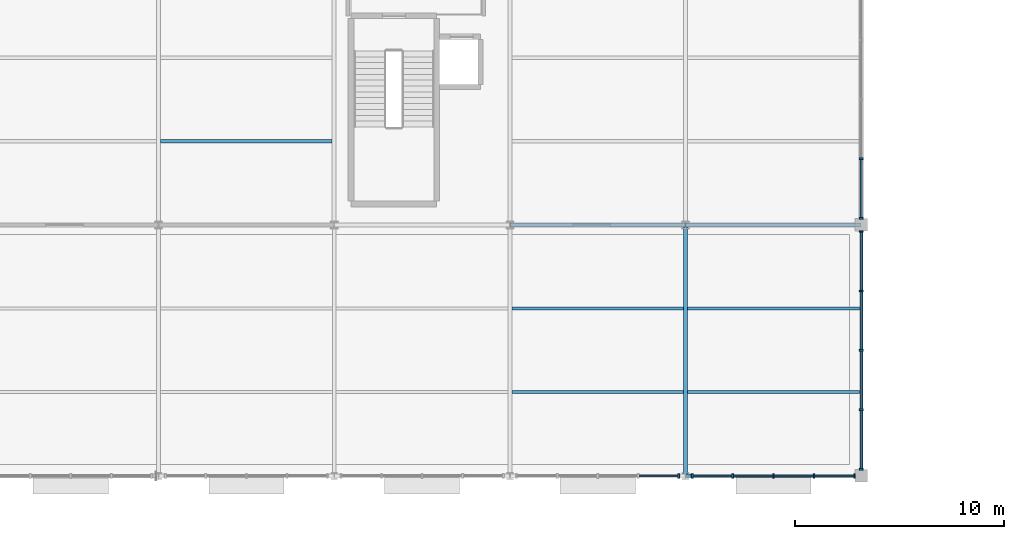
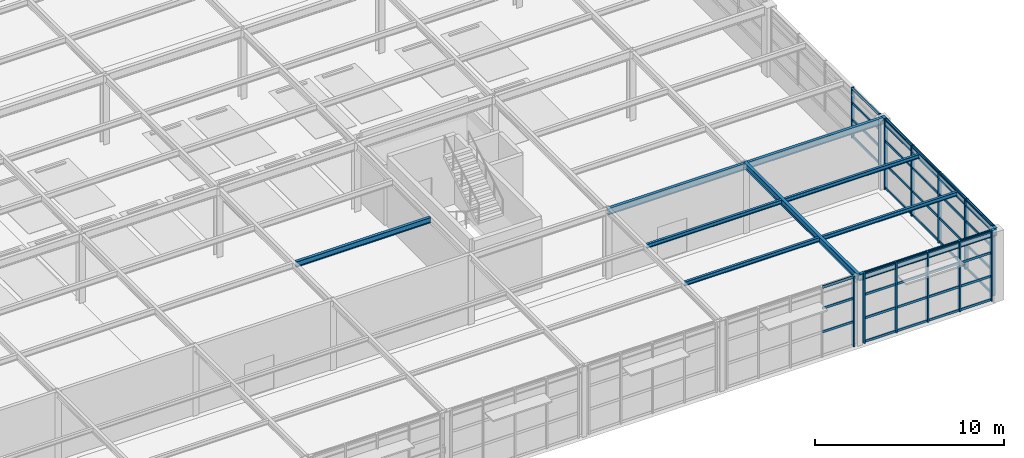
# One storey, part 39 of 82: 52 members, 10 beams, 4 elements without a shape of their own.
"""IFC4 building model written with IfcOpenShell, lengths in metres."""

from ifc_helpers import new_model, si_unit, direction, frame, origin, origin_2d, place, context, subcontext, project, spatial, rectangle, i_section, extrude, material, layer, layer_set, material_profile, profile_set, type_object, element, aggregate, save


model = new_model("IFC4")

# Units and contexts
model_context = context("Model", 3, precision=1e-05, world=origin(), true_north=direction((0.0, 1.0)))
body_context = subcontext(model_context, "Body", "Model", "MODEL_VIEW")
ifc_project = project(units=[si_unit("LENGTHUNIT", "METRE"), si_unit("AREAUNIT", "SQUARE_METRE"), si_unit("VOLUMEUNIT", "CUBIC_METRE"), si_unit("PLANEANGLEUNIT", "RADIAN"), si_unit("MASSUNIT", "GRAM", prefix="KILO")], contexts=[model_context])

# Site, building, storey
site_placement = place(None, origin())
site = spatial("IfcSite", under=ifc_project, at=site_placement, CompositionType="ELEMENT")
building_placement = place(site_placement, origin())
building = spatial("IfcBuilding", under=site, at=building_placement, Name="Sitalva Quay Ferry Terminal", CompositionType="ELEMENT")
storey_placement = place(building_placement, frame((0.0, 0.0, 5.39990234375)))
storey = spatial("IfcBuildingStorey", under=building, at=storey_placement, Name="L02", CompositionType="ELEMENT", Elevation=5.39990234375)

# Beams
ifc_material_1 = material(Name="Structural Steel S355JR", Category="steel")
ifc_material_profile_1 = material_profile(ifc_material_1, i_section(OverallWidth=0.178955078125, OverallDepth=0.409912109375, WebThickness=0.0087890625, FlangeThickness=0.014404296875, FilletRadius=0.012939453125, at=origin_2d()), Name="W410x67")
ifc_profile_set_1 = profile_set([ifc_material_profile_1], Name="Structural Steel S355JR")
beam_type_1 = type_object("IfcBeamType", Name="Beam_W410x67", PredefinedType="BEAM", material=ifc_profile_set_1)
for number, where, z_axis, x_axis, name in (
    (1, (159.60009765625, 6.0, 4.335205078125), (0.0, 1.0, 0.0), (-1.0, 0.0, 0.0), "L02 Primary Y girder 0737"),
    (2, (168.0, 6.0, 4.335205078125), (0.0, 1.0, 0.0), (-1.0, 0.0, 0.0), "L02 Primary Y girder 0738"),
):
    element("IfcBeam", number, at=place(storey_placement, frame(where, z_axis=z_axis, x_axis=x_axis)), inside=storey, type_object=beam_type_1, Name=name, PredefinedType="BEAM", context=body_context, shape_type="SweptSolid", body=[
        extrude(i_section(OverallWidth=0.178955078125, OverallDepth=0.409912109375, WebThickness=0.0087890625, FlangeThickness=0.014404296875, FilletRadius=0.012939453125, at=origin_2d()), origin(), (0.0, 0.0, 1.0), 12.0),
    ])
ifc_material_2 = material(Name="Structural Steel S355JR", Category="steel")
ifc_material_profile_2 = material_profile(ifc_material_2, i_section(OverallWidth=0.180908203125, OverallDepth=0.4169921875, WebThickness=0.010986328125, FlangeThickness=0.018310546875, FilletRadius=0.012939453125, at=origin_2d()), Name="W410x85")
ifc_profile_set_2 = profile_set([ifc_material_profile_2], Name="Structural Steel S355JR")
beam_type_2 = type_object("IfcBeamType", Name="Beam_W410x85", PredefinedType="BEAM", material=ifc_profile_set_2)
beam_1_placement = place(storey_placement, frame((159.60009765625, 6.0, 4.33154296875), z_axis=(1.0, 0.0, 0.0), x_axis=(0.0, 1.0, 0.0)))
element("IfcBeam", 3, at=beam_1_placement, inside=storey, type_object=beam_type_2, Name="L02 Primary X girder 0718", PredefinedType="BEAM", context=body_context, shape_type="SweptSolid", body=[
    extrude(i_section(OverallWidth=0.180908203125, OverallDepth=0.4169921875, WebThickness=0.010986328125, FlangeThickness=0.018310546875, FilletRadius=0.012939453125, at=origin_2d()), origin(), (0.0, 0.0, 1.0), 8.39990234375),
])
beam_2_placement = place(storey_placement, frame((151.199951171875, 18.0, 4.24169921875), z_axis=(1.0, 0.0, 0.0), x_axis=(0.0, 1.0, 0.0)))
element("IfcBeam", 4, at=beam_2_placement, inside=storey, type_object=beam_type_2, Name="L02 Primary X girder 0727", PredefinedType="BEAM", context=body_context, shape_type="SweptSolid", body=[
    extrude(i_section(OverallWidth=0.180908203125, OverallDepth=0.4169921875, WebThickness=0.010986328125, FlangeThickness=0.018310546875, FilletRadius=0.012939453125, at=origin_2d()), origin(), (0.0, 0.0, 1.0), 8.400146484375),
])
beam_3_placement = place(storey_placement, frame((159.60009765625, 18.0, 4.24169921875), z_axis=(1.0, 0.0, 0.0), x_axis=(0.0, 1.0, 0.0)))
element("IfcBeam", 5, at=beam_3_placement, inside=storey, type_object=beam_type_2, Name="L02 Primary X girder 0728", PredefinedType="BEAM", context=body_context, shape_type="SweptSolid", body=[
    extrude(i_section(OverallWidth=0.180908203125, OverallDepth=0.4169921875, WebThickness=0.010986328125, FlangeThickness=0.018310546875, FilletRadius=0.012939453125, at=origin_2d()), origin(), (0.0, 0.0, 1.0), 8.39990234375),
])
ifc_material_3 = material(Name="Structural Steel S355JR", Category="steel")
ifc_material_profile_3 = material_profile(ifc_material_3, i_section(OverallWidth=0.14697265625, OverallDepth=0.261962890625, WebThickness=0.006591796875, FlangeThickness=0.01123046875, FilletRadius=0.010009765625, at=origin_2d()), Name="W250x39")
ifc_profile_set_3 = profile_set([ifc_material_profile_3], Name="Structural Steel S355JR")
beam_type_3 = type_object("IfcBeamType", Name="Joist_W250x39", PredefinedType="JOIST", material=ifc_profile_set_3)
for number, where, z_axis, x_axis, name in (
    (6, (151.28955078125, 10.0, 4.4091796875), (1.0, 0.0, 0.0), (0.0, 1.0, 0.0), "L02 Secondary joist 0747"),
    (7, (159.689453125, 10.0, 4.4091796875), (1.0, 0.0, 0.0), (0.0, 1.0, 0.0), "L02 Secondary joist 0748"),
    (8, (151.28955078125, 14.0, 4.4091796875), (1.0, 0.0, 0.0), (0.0, 1.0, 0.0), "L02 Secondary joist 0757"),
    (9, (159.689453125, 14.0, 4.4091796875), (1.0, 0.0, 0.0), (0.0, 1.0, 0.0), "L02 Secondary joist 0758"),
):
    element("IfcBeam", number, at=place(storey_placement, frame(where, z_axis=z_axis, x_axis=x_axis)), inside=storey, type_object=beam_type_3, Name=name, PredefinedType="JOIST", context=body_context, shape_type="SweptSolid", body=[
        extrude(i_section(OverallWidth=0.14697265625, OverallDepth=0.261962890625, WebThickness=0.006591796875, FlangeThickness=0.01123046875, FilletRadius=0.010009765625, at=origin_2d()), origin(), (0.0, 0.0, 1.0), 8.220947265625),
    ])
ifc_material_4 = material(Name="Structural Steel S355JR", Category="steel")
ifc_material_profile_4 = material_profile(ifc_material_4, i_section(OverallWidth=0.172119140625, OverallDepth=0.35791015625, WebThickness=0.0078125, FlangeThickness=0.01318359375, FilletRadius=0.011962890625, at=origin_2d()), Name="W360x57")
ifc_profile_set_4 = profile_set([ifc_material_profile_4], Name="Structural Steel S355JR")
beam_type_4 = type_object("IfcBeamType", Name="Joist_W360x57", PredefinedType="JOIST", material=ifc_profile_set_4)
beam_4_placement = place(storey_placement, frame((134.49560546875, 22.0, 4.27099609375), z_axis=(1.0, 0.0, 0.0), x_axis=(0.0, 1.0, 0.0)))
element("IfcBeam", 10, at=beam_4_placement, inside=storey, type_object=beam_type_4, Name="L02 Secondary joist 0868", PredefinedType="JOIST", context=body_context, shape_type="SweptSolid", body=[
    extrude(i_section(OverallWidth=0.172119140625, OverallDepth=0.35791015625, WebThickness=0.0078125, FlangeThickness=0.01318359375, FilletRadius=0.011962890625, at=origin_2d()), origin(), (0.0, 0.0, 1.0), 8.208984375),
])

# Curtain wall, members
ifc_material_5 = material(Name="Anodised Aluminium & Low-E Glazing", Category="aluminium")
ifc_layer_1 = layer(ifc_material_5, 0.159912109375)
ifc_layer_set_1 = layer_set([ifc_layer_1], Name="Anodised Aluminium & Low-E Glazing")
curtain_wall_type_1 = type_object("IfcCurtainWallType", Name="CW_Coastal_Louvred", PredefinedType="USERDEFINED", material=ifc_layer_set_1)
curtain_wall_1_placement = place(storey_placement, origin())
curtain_wall_1 = element("IfcCurtainWall", 11, at=curtain_wall_1_placement, inside=storey, type_object=curtain_wall_type_1, Name="L02 vehicle deck east ventilation screen (CW-L02-093)", ObjectType="CURTAIN_WALL", PredefinedType="USERDEFINED")
ifc_material_6 = material(Name="Anodised Aluminium 6063-T6", Category="aluminium")
ifc_material_profile_5 = material_profile(ifc_material_6, rectangle(XDim=0.080078125, YDim=0.18505859375, at=origin_2d()), Name="ALU80x185")
ifc_profile_set_5 = profile_set([ifc_material_profile_5], Name="Anodised Aluminium 6063-T6")
member_type_1 = type_object("IfcMemberType", Name="Mullion_Alu_80x185", PredefinedType="MULLION", material=ifc_profile_set_5)
member_1_placement = place(storey_placement, frame((168.0, 18.320068359375, 1.2001953125), z_axis=(0.0, 0.0, 1.0), x_axis=(0.0, 1.0, 0.0)))
member_1 = element("IfcMember", 12, at=member_1_placement, type_object=member_type_1, Name="CW-L02-093-M0", PredefinedType="MULLION", context=body_context, shape_type="SweptSolid", body=[
    extrude(rectangle(XDim=0.080078125, YDim=0.18505859375, at=origin_2d()), origin(), (0.0, 0.0, 1.0), 3.25),
])
member_2_placement = place(storey_placement, frame((168.0, 21.159912109375, 1.2001953125), z_axis=(0.0, 0.0, 1.0), x_axis=(0.0, 1.0, 0.0)))
member_2 = element("IfcMember", 13, at=member_2_placement, type_object=member_type_1, Name="CW-L02-093-M1", PredefinedType="MULLION", context=body_context, shape_type="SweptSolid", body=[
    extrude(rectangle(XDim=0.080078125, YDim=0.18505859375, at=origin_2d()), origin(), (0.0, 0.0, 1.0), 3.25),
])

# Curtain wall, member
ifc_material_7 = material(Name="Anodised Aluminium & Low-E Glazing", Category="aluminium")
ifc_layer_2 = layer(ifc_material_7, 0.159912109375)
ifc_layer_set_2 = layer_set([ifc_layer_2], Name="Anodised Aluminium & Low-E Glazing")
curtain_wall_type_2 = type_object("IfcCurtainWallType", Name="CW_Concourse_Unitised", PredefinedType="USERDEFINED", material=ifc_layer_set_2)
curtain_wall_2_placement = place(storey_placement, origin())
curtain_wall_2 = element("IfcCurtainWall", 14, at=curtain_wall_2_placement, inside=storey, type_object=curtain_wall_type_2, Name="L02 waterfront boarding concourse glazing (CW-L02-071)", ObjectType="CURTAIN_WALL", PredefinedType="USERDEFINED")
ifc_material_8 = material(Name="Anodised Aluminium 6063-T6", Category="aluminium")
ifc_material_profile_6 = material_profile(ifc_material_8, rectangle(XDim=0.0849609375, YDim=0.2099609375, at=origin_2d()), Name="ALU85x210")
ifc_profile_set_6 = profile_set([ifc_material_profile_6], Name="Anodised Aluminium 6063-T6")
member_type_2 = type_object("IfcMemberType", Name="Mullion_Alu_85x210", PredefinedType="MULLION", material=ifc_profile_set_6)
member_3_placement = place(storey_placement, frame((159.280029296875, 6.0, 0.0), z_axis=(0.0, 0.0, 1.0), x_axis=(1.0, 0.0, 0.0)))
member_3 = element("IfcMember", 15, at=member_3_placement, type_object=member_type_2, Name="CW-L02-071-M4", PredefinedType="MULLION", context=body_context, shape_type="SweptSolid", body=[
    extrude(rectangle(XDim=0.0849609375, YDim=0.2099609375, at=origin_2d()), origin(), (0.0, 0.0, 1.0), 4.5400390625),
])

# Curtain wall, members
curtain_wall_3_placement = place(storey_placement, origin())
curtain_wall_3 = element("IfcCurtainWall", 16, at=curtain_wall_3_placement, inside=storey, type_object=curtain_wall_type_2, Name="L02 waterfront boarding concourse glazing (CW-L02-073)", ObjectType="CURTAIN_WALL", PredefinedType="USERDEFINED")
member_4_placement = place(storey_placement, frame((159.919921875, 6.0, 0.0), z_axis=(0.0, 0.0, 1.0), x_axis=(1.0, 0.0, 0.0)))
member_4 = element("IfcMember", 17, at=member_4_placement, type_object=member_type_2, Name="CW-L02-073-M0", PredefinedType="MULLION", context=body_context, shape_type="SweptSolid", body=[
    extrude(rectangle(XDim=0.0849609375, YDim=0.2099609375, at=origin_2d()), origin(), (0.0, 0.0, 1.0), 4.5400390625),
])
member_5_placement = place(storey_placement, frame((161.860107421875, 6.0, 0.0), z_axis=(0.0, 0.0, 1.0), x_axis=(1.0, 0.0, 0.0)))
member_5 = element("IfcMember", 18, at=member_5_placement, type_object=member_type_2, Name="CW-L02-073-M1", PredefinedType="MULLION", context=body_context, shape_type="SweptSolid", body=[
    extrude(rectangle(XDim=0.0849609375, YDim=0.2099609375, at=origin_2d()), origin(), (0.0, 0.0, 1.0), 4.5400390625),
])
member_6_placement = place(storey_placement, frame((163.800048828125, 6.0, 0.0), z_axis=(0.0, 0.0, 1.0), x_axis=(1.0, 0.0, 0.0)))
member_6 = element("IfcMember", 19, at=member_6_placement, type_object=member_type_2, Name="CW-L02-073-M2", PredefinedType="MULLION", context=body_context, shape_type="SweptSolid", body=[
    extrude(rectangle(XDim=0.0849609375, YDim=0.2099609375, at=origin_2d()), origin(), (0.0, 0.0, 1.0), 4.5400390625),
])
member_7_placement = place(storey_placement, frame((165.739990234375, 6.0, 0.0), z_axis=(0.0, 0.0, 1.0), x_axis=(1.0, 0.0, 0.0)))
member_7 = element("IfcMember", 20, at=member_7_placement, type_object=member_type_2, Name="CW-L02-073-M3", PredefinedType="MULLION", context=body_context, shape_type="SweptSolid", body=[
    extrude(rectangle(XDim=0.0849609375, YDim=0.2099609375, at=origin_2d()), origin(), (0.0, 0.0, 1.0), 4.5400390625),
])
member_8_placement = place(storey_placement, frame((167.679931640625, 6.0, 0.0), z_axis=(0.0, 0.0, 1.0), x_axis=(1.0, 0.0, 0.0)))
member_8 = element("IfcMember", 21, at=member_8_placement, type_object=member_type_2, Name="CW-L02-073-M4", PredefinedType="MULLION", context=body_context, shape_type="SweptSolid", body=[
    extrude(rectangle(XDim=0.0849609375, YDim=0.2099609375, at=origin_2d()), origin(), (0.0, 0.0, 1.0), 4.5400390625),
])

curtain_wall_4_placement = place(storey_placement, origin())
curtain_wall_4 = element("IfcCurtainWall", 22, at=curtain_wall_4_placement, inside=storey, type_object=curtain_wall_type_2, Name="L02 SE concourse east glazing (CW-L02-092)", ObjectType="CURTAIN_WALL", PredefinedType="USERDEFINED")
member_9_placement = place(storey_placement, frame((168.0, 6.320068359375, 0.0), z_axis=(0.0, 0.0, 1.0), x_axis=(0.0, 1.0, 0.0)))
member_9 = element("IfcMember", 23, at=member_9_placement, type_object=member_type_2, Name="CW-L02-092-M0", PredefinedType="MULLION", context=body_context, shape_type="SweptSolid", body=[
    extrude(rectangle(XDim=0.0849609375, YDim=0.2099609375, at=origin_2d()), origin(), (0.0, 0.0, 1.0), 4.5400390625),
])
member_10_placement = place(storey_placement, frame((168.0, 9.159912109375, 0.0), z_axis=(0.0, 0.0, 1.0), x_axis=(0.0, 1.0, 0.0)))
member_10 = element("IfcMember", 24, at=member_10_placement, type_object=member_type_2, Name="CW-L02-092-M1", PredefinedType="MULLION", context=body_context, shape_type="SweptSolid", body=[
    extrude(rectangle(XDim=0.0849609375, YDim=0.2099609375, at=origin_2d()), origin(), (0.0, 0.0, 1.0), 4.5400390625),
])
member_11_placement = place(storey_placement, frame((168.0, 12.0, 0.0), z_axis=(0.0, 0.0, 1.0), x_axis=(0.0, 1.0, 0.0)))
member_11 = element("IfcMember", 25, at=member_11_placement, type_object=member_type_2, Name="CW-L02-092-M2", PredefinedType="MULLION", context=body_context, shape_type="SweptSolid", body=[
    extrude(rectangle(XDim=0.0849609375, YDim=0.2099609375, at=origin_2d()), origin(), (0.0, 0.0, 1.0), 4.5400390625),
])
member_12_placement = place(storey_placement, frame((168.0, 14.840087890625, 0.0), z_axis=(0.0, 0.0, 1.0), x_axis=(0.0, 1.0, 0.0)))
member_12 = element("IfcMember", 26, at=member_12_placement, type_object=member_type_2, Name="CW-L02-092-M3", PredefinedType="MULLION", context=body_context, shape_type="SweptSolid", body=[
    extrude(rectangle(XDim=0.0849609375, YDim=0.2099609375, at=origin_2d()), origin(), (0.0, 0.0, 1.0), 4.5400390625),
])
member_13_placement = place(storey_placement, frame((168.0, 17.679931640625, 0.0), z_axis=(0.0, 0.0, 1.0), x_axis=(0.0, 1.0, 0.0)))
member_13 = element("IfcMember", 27, at=member_13_placement, type_object=member_type_2, Name="CW-L02-092-M4", PredefinedType="MULLION", context=body_context, shape_type="SweptSolid", body=[
    extrude(rectangle(XDim=0.0849609375, YDim=0.2099609375, at=origin_2d()), origin(), (0.0, 0.0, 1.0), 4.5400390625),
])

# Member
ifc_material_9 = material(Name="Anodised Aluminium 6063-T6", Category="aluminium")
ifc_material_profile_7 = material_profile(ifc_material_9, rectangle(XDim=0.074951171875, YDim=0.14990234375, at=origin_2d()), Name="ALU75x150")
ifc_profile_set_7 = profile_set([ifc_material_profile_7], Name="Anodised Aluminium 6063-T6")
member_type_3 = type_object("IfcMemberType", Name="Transom_Alu_75x140", PredefinedType="MULLION", material=ifc_profile_set_7)
member_14_placement = place(storey_placement, frame((157.382568359375, 6.0, 1.58837890625), z_axis=(1.0, 0.0, 0.0), x_axis=(0.0, 1.0, 0.0)))
member_14 = element("IfcMember", 28, at=member_14_placement, type_object=member_type_3, Name="CW-L02-071-T3-1", ObjectType="TRANSOM", PredefinedType="USERDEFINED", context=body_context, shape_type="SweptSolid", body=[
    extrude(rectangle(XDim=0.074951171875, YDim=0.14990234375, at=origin_2d()), origin(), (0.0, 0.0, 1.0), 1.85498046875),
])

member_15_placement = place(storey_placement, frame((157.382568359375, 6.0, 3.101806640625), z_axis=(1.0, 0.0, 0.0), x_axis=(0.0, 1.0, 0.0)))
member_15 = element("IfcMember", 29, at=member_15_placement, type_object=member_type_3, Name="CW-L02-071-T3-2", ObjectType="TRANSOM", PredefinedType="USERDEFINED", context=body_context, shape_type="SweptSolid", body=[
    extrude(rectangle(XDim=0.074951171875, YDim=0.14990234375, at=origin_2d()), origin(), (0.0, 0.0, 1.0), 1.85498046875),
])

member_16_placement = place(storey_placement, frame((157.382568359375, 6.0, 4.465087890625), z_axis=(1.0, 0.0, 0.0), x_axis=(0.0, 1.0, 0.0)))
member_16 = element("IfcMember", 30, at=member_16_placement, type_object=member_type_3, Name="CW-L02-071-T3-3", ObjectType="TRANSOM", PredefinedType="USERDEFINED", context=body_context, shape_type="SweptSolid", body=[
    extrude(rectangle(XDim=0.074951171875, YDim=0.14990234375, at=origin_2d()), origin(), (0.0, 0.0, 1.0), 1.85498046875),
])

aggregate(curtain_wall_2, [member_3, member_14, member_15, member_16])

member_17_placement = place(storey_placement, frame((159.96240234375, 6.0, 0.0751953125), z_axis=(1.0, 0.0, 0.0), x_axis=(0.0, 1.0, 0.0)))
member_17 = element("IfcMember", 31, at=member_17_placement, type_object=member_type_3, Name="CW-L02-073-T0-0", ObjectType="TRANSOM", PredefinedType="USERDEFINED", context=body_context, shape_type="SweptSolid", body=[
    extrude(rectangle(XDim=0.074951171875, YDim=0.14990234375, at=origin_2d()), origin(), (0.0, 0.0, 1.0), 1.85498046875),
])

member_18_placement = place(storey_placement, frame((159.96240234375, 6.0, 1.58837890625), z_axis=(1.0, 0.0, 0.0), x_axis=(0.0, 1.0, 0.0)))
member_18 = element("IfcMember", 32, at=member_18_placement, type_object=member_type_3, Name="CW-L02-073-T0-1", ObjectType="TRANSOM", PredefinedType="USERDEFINED", context=body_context, shape_type="SweptSolid", body=[
    extrude(rectangle(XDim=0.074951171875, YDim=0.14990234375, at=origin_2d()), origin(), (0.0, 0.0, 1.0), 1.85498046875),
])

member_19_placement = place(storey_placement, frame((159.96240234375, 6.0, 3.101806640625), z_axis=(1.0, 0.0, 0.0), x_axis=(0.0, 1.0, 0.0)))
member_19 = element("IfcMember", 33, at=member_19_placement, type_object=member_type_3, Name="CW-L02-073-T0-2", ObjectType="TRANSOM", PredefinedType="USERDEFINED", context=body_context, shape_type="SweptSolid", body=[
    extrude(rectangle(XDim=0.074951171875, YDim=0.14990234375, at=origin_2d()), origin(), (0.0, 0.0, 1.0), 1.85498046875),
])

member_20_placement = place(storey_placement, frame((159.96240234375, 6.0, 4.465087890625), z_axis=(1.0, 0.0, 0.0), x_axis=(0.0, 1.0, 0.0)))
member_20 = element("IfcMember", 34, at=member_20_placement, type_object=member_type_3, Name="CW-L02-073-T0-3", ObjectType="TRANSOM", PredefinedType="USERDEFINED", context=body_context, shape_type="SweptSolid", body=[
    extrude(rectangle(XDim=0.074951171875, YDim=0.14990234375, at=origin_2d()), origin(), (0.0, 0.0, 1.0), 1.85498046875),
])

member_21_placement = place(storey_placement, frame((161.902587890625, 6.0, 0.0751953125), z_axis=(1.0, 0.0, 0.0), x_axis=(0.0, 1.0, 0.0)))
member_21 = element("IfcMember", 35, at=member_21_placement, type_object=member_type_3, Name="CW-L02-073-T1-0", ObjectType="TRANSOM", PredefinedType="USERDEFINED", context=body_context, shape_type="SweptSolid", body=[
    extrude(rectangle(XDim=0.074951171875, YDim=0.14990234375, at=origin_2d()), origin(), (0.0, 0.0, 1.0), 1.85498046875),
])

member_22_placement = place(storey_placement, frame((161.902587890625, 6.0, 1.58837890625), z_axis=(1.0, 0.0, 0.0), x_axis=(0.0, 1.0, 0.0)))
member_22 = element("IfcMember", 36, at=member_22_placement, type_object=member_type_3, Name="CW-L02-073-T1-1", ObjectType="TRANSOM", PredefinedType="USERDEFINED", context=body_context, shape_type="SweptSolid", body=[
    extrude(rectangle(XDim=0.074951171875, YDim=0.14990234375, at=origin_2d()), origin(), (0.0, 0.0, 1.0), 1.85498046875),
])

member_23_placement = place(storey_placement, frame((161.902587890625, 6.0, 3.101806640625), z_axis=(1.0, 0.0, 0.0), x_axis=(0.0, 1.0, 0.0)))
member_23 = element("IfcMember", 37, at=member_23_placement, type_object=member_type_3, Name="CW-L02-073-T1-2", ObjectType="TRANSOM", PredefinedType="USERDEFINED", context=body_context, shape_type="SweptSolid", body=[
    extrude(rectangle(XDim=0.074951171875, YDim=0.14990234375, at=origin_2d()), origin(), (0.0, 0.0, 1.0), 1.85498046875),
])

member_24_placement = place(storey_placement, frame((161.902587890625, 6.0, 4.465087890625), z_axis=(1.0, 0.0, 0.0), x_axis=(0.0, 1.0, 0.0)))
member_24 = element("IfcMember", 38, at=member_24_placement, type_object=member_type_3, Name="CW-L02-073-T1-3", ObjectType="TRANSOM", PredefinedType="USERDEFINED", context=body_context, shape_type="SweptSolid", body=[
    extrude(rectangle(XDim=0.074951171875, YDim=0.14990234375, at=origin_2d()), origin(), (0.0, 0.0, 1.0), 1.85498046875),
])

member_25_placement = place(storey_placement, frame((163.842529296875, 6.0, 0.0751953125), z_axis=(1.0, 0.0, 0.0), x_axis=(0.0, 1.0, 0.0)))
member_25 = element("IfcMember", 39, at=member_25_placement, type_object=member_type_3, Name="CW-L02-073-T2-0", ObjectType="TRANSOM", PredefinedType="USERDEFINED", context=body_context, shape_type="SweptSolid", body=[
    extrude(rectangle(XDim=0.074951171875, YDim=0.14990234375, at=origin_2d()), origin(), (0.0, 0.0, 1.0), 1.85498046875),
])

member_26_placement = place(storey_placement, frame((163.842529296875, 6.0, 1.58837890625), z_axis=(1.0, 0.0, 0.0), x_axis=(0.0, 1.0, 0.0)))
member_26 = element("IfcMember", 40, at=member_26_placement, type_object=member_type_3, Name="CW-L02-073-T2-1", ObjectType="TRANSOM", PredefinedType="USERDEFINED", context=body_context, shape_type="SweptSolid", body=[
    extrude(rectangle(XDim=0.074951171875, YDim=0.14990234375, at=origin_2d()), origin(), (0.0, 0.0, 1.0), 1.85498046875),
])

member_27_placement = place(storey_placement, frame((163.842529296875, 6.0, 3.101806640625), z_axis=(1.0, 0.0, 0.0), x_axis=(0.0, 1.0, 0.0)))
member_27 = element("IfcMember", 41, at=member_27_placement, type_object=member_type_3, Name="CW-L02-073-T2-2", ObjectType="TRANSOM", PredefinedType="USERDEFINED", context=body_context, shape_type="SweptSolid", body=[
    extrude(rectangle(XDim=0.074951171875, YDim=0.14990234375, at=origin_2d()), origin(), (0.0, 0.0, 1.0), 1.85498046875),
])

member_28_placement = place(storey_placement, frame((163.842529296875, 6.0, 4.465087890625), z_axis=(1.0, 0.0, 0.0), x_axis=(0.0, 1.0, 0.0)))
member_28 = element("IfcMember", 42, at=member_28_placement, type_object=member_type_3, Name="CW-L02-073-T2-3", ObjectType="TRANSOM", PredefinedType="USERDEFINED", context=body_context, shape_type="SweptSolid", body=[
    extrude(rectangle(XDim=0.074951171875, YDim=0.14990234375, at=origin_2d()), origin(), (0.0, 0.0, 1.0), 1.85498046875),
])

member_29_placement = place(storey_placement, frame((165.782470703125, 6.0, 0.0751953125), z_axis=(1.0, 0.0, 0.0), x_axis=(0.0, 1.0, 0.0)))
member_29 = element("IfcMember", 43, at=member_29_placement, type_object=member_type_3, Name="CW-L02-073-T3-0", ObjectType="TRANSOM", PredefinedType="USERDEFINED", context=body_context, shape_type="SweptSolid", body=[
    extrude(rectangle(XDim=0.074951171875, YDim=0.14990234375, at=origin_2d()), origin(), (0.0, 0.0, 1.0), 1.85498046875),
])

member_30_placement = place(storey_placement, frame((165.782470703125, 6.0, 1.58837890625), z_axis=(1.0, 0.0, 0.0), x_axis=(0.0, 1.0, 0.0)))
member_30 = element("IfcMember", 44, at=member_30_placement, type_object=member_type_3, Name="CW-L02-073-T3-1", ObjectType="TRANSOM", PredefinedType="USERDEFINED", context=body_context, shape_type="SweptSolid", body=[
    extrude(rectangle(XDim=0.074951171875, YDim=0.14990234375, at=origin_2d()), origin(), (0.0, 0.0, 1.0), 1.85498046875),
])

member_31_placement = place(storey_placement, frame((165.782470703125, 6.0, 3.101806640625), z_axis=(1.0, 0.0, 0.0), x_axis=(0.0, 1.0, 0.0)))
member_31 = element("IfcMember", 45, at=member_31_placement, type_object=member_type_3, Name="CW-L02-073-T3-2", ObjectType="TRANSOM", PredefinedType="USERDEFINED", context=body_context, shape_type="SweptSolid", body=[
    extrude(rectangle(XDim=0.074951171875, YDim=0.14990234375, at=origin_2d()), origin(), (0.0, 0.0, 1.0), 1.85498046875),
])

member_32_placement = place(storey_placement, frame((165.782470703125, 6.0, 4.465087890625), z_axis=(1.0, 0.0, 0.0), x_axis=(0.0, 1.0, 0.0)))
member_32 = element("IfcMember", 46, at=member_32_placement, type_object=member_type_3, Name="CW-L02-073-T3-3", ObjectType="TRANSOM", PredefinedType="USERDEFINED", context=body_context, shape_type="SweptSolid", body=[
    extrude(rectangle(XDim=0.074951171875, YDim=0.14990234375, at=origin_2d()), origin(), (0.0, 0.0, 1.0), 1.85498046875),
])

aggregate(curtain_wall_3, [member_4, member_5, member_6, member_7, member_8, member_17, member_18, member_19, member_20, member_21, member_22, member_23, member_24, member_25, member_26, member_27, member_28, member_29, member_30, member_31, member_32])

member_33_placement = place(storey_placement, frame((168.0, 6.362548828125, 0.0751953125), z_axis=(0.0, 1.0, 0.0), x_axis=(-1.0, 0.0, 0.0)))
member_33 = element("IfcMember", 47, at=member_33_placement, type_object=member_type_3, Name="CW-L02-092-T0-0", ObjectType="TRANSOM", PredefinedType="USERDEFINED", context=body_context, shape_type="SweptSolid", body=[
    extrude(rectangle(XDim=0.074951171875, YDim=0.14990234375, at=origin_2d()), origin(), (0.0, 0.0, 1.0), 2.7548828125),
])

member_34_placement = place(storey_placement, frame((168.0, 6.362548828125, 1.58837890625), z_axis=(0.0, 1.0, 0.0), x_axis=(-1.0, 0.0, 0.0)))
member_34 = element("IfcMember", 48, at=member_34_placement, type_object=member_type_3, Name="CW-L02-092-T0-1", ObjectType="TRANSOM", PredefinedType="USERDEFINED", context=body_context, shape_type="SweptSolid", body=[
    extrude(rectangle(XDim=0.074951171875, YDim=0.14990234375, at=origin_2d()), origin(), (0.0, 0.0, 1.0), 2.7548828125),
])

member_35_placement = place(storey_placement, frame((168.0, 6.362548828125, 3.101806640625), z_axis=(0.0, 1.0, 0.0), x_axis=(-1.0, 0.0, 0.0)))
member_35 = element("IfcMember", 49, at=member_35_placement, type_object=member_type_3, Name="CW-L02-092-T0-2", ObjectType="TRANSOM", PredefinedType="USERDEFINED", context=body_context, shape_type="SweptSolid", body=[
    extrude(rectangle(XDim=0.074951171875, YDim=0.14990234375, at=origin_2d()), origin(), (0.0, 0.0, 1.0), 2.7548828125),
])

member_36_placement = place(storey_placement, frame((168.0, 6.362548828125, 4.465087890625), z_axis=(0.0, 1.0, 0.0), x_axis=(-1.0, 0.0, 0.0)))
member_36 = element("IfcMember", 50, at=member_36_placement, type_object=member_type_3, Name="CW-L02-092-T0-3", ObjectType="TRANSOM", PredefinedType="USERDEFINED", context=body_context, shape_type="SweptSolid", body=[
    extrude(rectangle(XDim=0.074951171875, YDim=0.14990234375, at=origin_2d()), origin(), (0.0, 0.0, 1.0), 2.7548828125),
])

member_37_placement = place(storey_placement, frame((168.0, 9.202392578125, 0.0751953125), z_axis=(0.0, 1.0, 0.0), x_axis=(-1.0, 0.0, 0.0)))
member_37 = element("IfcMember", 51, at=member_37_placement, type_object=member_type_3, Name="CW-L02-092-T1-0", ObjectType="TRANSOM", PredefinedType="USERDEFINED", context=body_context, shape_type="SweptSolid", body=[
    extrude(rectangle(XDim=0.074951171875, YDim=0.14990234375, at=origin_2d()), origin(), (0.0, 0.0, 1.0), 2.755126953125),
])

member_38_placement = place(storey_placement, frame((168.0, 9.202392578125, 1.58837890625), z_axis=(0.0, 1.0, 0.0), x_axis=(-1.0, 0.0, 0.0)))
member_38 = element("IfcMember", 52, at=member_38_placement, type_object=member_type_3, Name="CW-L02-092-T1-1", ObjectType="TRANSOM", PredefinedType="USERDEFINED", context=body_context, shape_type="SweptSolid", body=[
    extrude(rectangle(XDim=0.074951171875, YDim=0.14990234375, at=origin_2d()), origin(), (0.0, 0.0, 1.0), 2.755126953125),
])

member_39_placement = place(storey_placement, frame((168.0, 9.202392578125, 3.101806640625), z_axis=(0.0, 1.0, 0.0), x_axis=(-1.0, 0.0, 0.0)))
member_39 = element("IfcMember", 53, at=member_39_placement, type_object=member_type_3, Name="CW-L02-092-T1-2", ObjectType="TRANSOM", PredefinedType="USERDEFINED", context=body_context, shape_type="SweptSolid", body=[
    extrude(rectangle(XDim=0.074951171875, YDim=0.14990234375, at=origin_2d()), origin(), (0.0, 0.0, 1.0), 2.755126953125),
])

member_40_placement = place(storey_placement, frame((168.0, 9.202392578125, 4.465087890625), z_axis=(0.0, 1.0, 0.0), x_axis=(-1.0, 0.0, 0.0)))
member_40 = element("IfcMember", 54, at=member_40_placement, type_object=member_type_3, Name="CW-L02-092-T1-3", ObjectType="TRANSOM", PredefinedType="USERDEFINED", context=body_context, shape_type="SweptSolid", body=[
    extrude(rectangle(XDim=0.074951171875, YDim=0.14990234375, at=origin_2d()), origin(), (0.0, 0.0, 1.0), 2.755126953125),
])

member_41_placement = place(storey_placement, frame((168.0, 12.04248046875, 0.0751953125), z_axis=(0.0, 1.0, 0.0), x_axis=(-1.0, 0.0, 0.0)))
member_41 = element("IfcMember", 55, at=member_41_placement, type_object=member_type_3, Name="CW-L02-092-T2-0", ObjectType="TRANSOM", PredefinedType="USERDEFINED", context=body_context, shape_type="SweptSolid", body=[
    extrude(rectangle(XDim=0.074951171875, YDim=0.14990234375, at=origin_2d()), origin(), (0.0, 0.0, 1.0), 2.755126953125),
])

member_42_placement = place(storey_placement, frame((168.0, 12.04248046875, 1.58837890625), z_axis=(0.0, 1.0, 0.0), x_axis=(-1.0, 0.0, 0.0)))
member_42 = element("IfcMember", 56, at=member_42_placement, type_object=member_type_3, Name="CW-L02-092-T2-1", ObjectType="TRANSOM", PredefinedType="USERDEFINED", context=body_context, shape_type="SweptSolid", body=[
    extrude(rectangle(XDim=0.074951171875, YDim=0.14990234375, at=origin_2d()), origin(), (0.0, 0.0, 1.0), 2.755126953125),
])

member_43_placement = place(storey_placement, frame((168.0, 12.04248046875, 3.101806640625), z_axis=(0.0, 1.0, 0.0), x_axis=(-1.0, 0.0, 0.0)))
member_43 = element("IfcMember", 57, at=member_43_placement, type_object=member_type_3, Name="CW-L02-092-T2-2", ObjectType="TRANSOM", PredefinedType="USERDEFINED", context=body_context, shape_type="SweptSolid", body=[
    extrude(rectangle(XDim=0.074951171875, YDim=0.14990234375, at=origin_2d()), origin(), (0.0, 0.0, 1.0), 2.755126953125),
])

member_44_placement = place(storey_placement, frame((168.0, 12.04248046875, 4.465087890625), z_axis=(0.0, 1.0, 0.0), x_axis=(-1.0, 0.0, 0.0)))
member_44 = element("IfcMember", 58, at=member_44_placement, type_object=member_type_3, Name="CW-L02-092-T2-3", ObjectType="TRANSOM", PredefinedType="USERDEFINED", context=body_context, shape_type="SweptSolid", body=[
    extrude(rectangle(XDim=0.074951171875, YDim=0.14990234375, at=origin_2d()), origin(), (0.0, 0.0, 1.0), 2.755126953125),
])

member_45_placement = place(storey_placement, frame((168.0, 14.882568359375, 0.0751953125), z_axis=(0.0, 1.0, 0.0), x_axis=(-1.0, 0.0, 0.0)))
member_45 = element("IfcMember", 59, at=member_45_placement, type_object=member_type_3, Name="CW-L02-092-T3-0", ObjectType="TRANSOM", PredefinedType="USERDEFINED", context=body_context, shape_type="SweptSolid", body=[
    extrude(rectangle(XDim=0.074951171875, YDim=0.14990234375, at=origin_2d()), origin(), (0.0, 0.0, 1.0), 2.7548828125),
])

member_46_placement = place(storey_placement, frame((168.0, 14.882568359375, 1.58837890625), z_axis=(0.0, 1.0, 0.0), x_axis=(-1.0, 0.0, 0.0)))
member_46 = element("IfcMember", 60, at=member_46_placement, type_object=member_type_3, Name="CW-L02-092-T3-1", ObjectType="TRANSOM", PredefinedType="USERDEFINED", context=body_context, shape_type="SweptSolid", body=[
    extrude(rectangle(XDim=0.074951171875, YDim=0.14990234375, at=origin_2d()), origin(), (0.0, 0.0, 1.0), 2.7548828125),
])

member_47_placement = place(storey_placement, frame((168.0, 14.882568359375, 3.101806640625), z_axis=(0.0, 1.0, 0.0), x_axis=(-1.0, 0.0, 0.0)))
member_47 = element("IfcMember", 61, at=member_47_placement, type_object=member_type_3, Name="CW-L02-092-T3-2", ObjectType="TRANSOM", PredefinedType="USERDEFINED", context=body_context, shape_type="SweptSolid", body=[
    extrude(rectangle(XDim=0.074951171875, YDim=0.14990234375, at=origin_2d()), origin(), (0.0, 0.0, 1.0), 2.7548828125),
])

member_48_placement = place(storey_placement, frame((168.0, 14.882568359375, 4.465087890625), z_axis=(0.0, 1.0, 0.0), x_axis=(-1.0, 0.0, 0.0)))
member_48 = element("IfcMember", 62, at=member_48_placement, type_object=member_type_3, Name="CW-L02-092-T3-3", ObjectType="TRANSOM", PredefinedType="USERDEFINED", context=body_context, shape_type="SweptSolid", body=[
    extrude(rectangle(XDim=0.074951171875, YDim=0.14990234375, at=origin_2d()), origin(), (0.0, 0.0, 1.0), 2.7548828125),
])

aggregate(curtain_wall_4, [member_9, member_10, member_11, member_12, member_13, member_33, member_34, member_35, member_36, member_37, member_38, member_39, member_40, member_41, member_42, member_43, member_44, member_45, member_46, member_47, member_48])

member_49_placement = place(storey_placement, frame((168.0, 18.360107421875, 1.275146484375), z_axis=(0.0, 1.0, 0.0), x_axis=(-1.0, 0.0, 0.0)))
member_49 = element("IfcMember", 63, at=member_49_placement, type_object=member_type_3, Name="CW-L02-093-T0-0", ObjectType="TRANSOM", PredefinedType="USERDEFINED", context=body_context, shape_type="SweptSolid", body=[
    extrude(rectangle(XDim=0.074951171875, YDim=0.14990234375, at=origin_2d()), origin(), (0.0, 0.0, 1.0), 2.760009765625),
])

member_50_placement = place(storey_placement, frame((168.0, 18.360107421875, 2.3583984375), z_axis=(0.0, 1.0, 0.0), x_axis=(-1.0, 0.0, 0.0)))
member_50 = element("IfcMember", 64, at=member_50_placement, type_object=member_type_3, Name="CW-L02-093-T0-1", ObjectType="TRANSOM", PredefinedType="USERDEFINED", context=body_context, shape_type="SweptSolid", body=[
    extrude(rectangle(XDim=0.074951171875, YDim=0.14990234375, at=origin_2d()), origin(), (0.0, 0.0, 1.0), 2.760009765625),
])

member_51_placement = place(storey_placement, frame((168.0, 18.360107421875, 3.441650390625), z_axis=(0.0, 1.0, 0.0), x_axis=(-1.0, 0.0, 0.0)))
member_51 = element("IfcMember", 65, at=member_51_placement, type_object=member_type_3, Name="CW-L02-093-T0-2", ObjectType="TRANSOM", PredefinedType="USERDEFINED", context=body_context, shape_type="SweptSolid", body=[
    extrude(rectangle(XDim=0.074951171875, YDim=0.14990234375, at=origin_2d()), origin(), (0.0, 0.0, 1.0), 2.760009765625),
])

member_52_placement = place(storey_placement, frame((168.0, 18.360107421875, 4.375), z_axis=(0.0, 1.0, 0.0), x_axis=(-1.0, 0.0, 0.0)))
member_52 = element("IfcMember", 66, at=member_52_placement, type_object=member_type_3, Name="CW-L02-093-T0-3", ObjectType="TRANSOM", PredefinedType="USERDEFINED", context=body_context, shape_type="SweptSolid", body=[
    extrude(rectangle(XDim=0.074951171875, YDim=0.14990234375, at=origin_2d()), origin(), (0.0, 0.0, 1.0), 2.760009765625),
])

aggregate(curtain_wall_1, [member_1, member_2, member_49, member_50, member_51, member_52])

save(model, "model.ifc")
